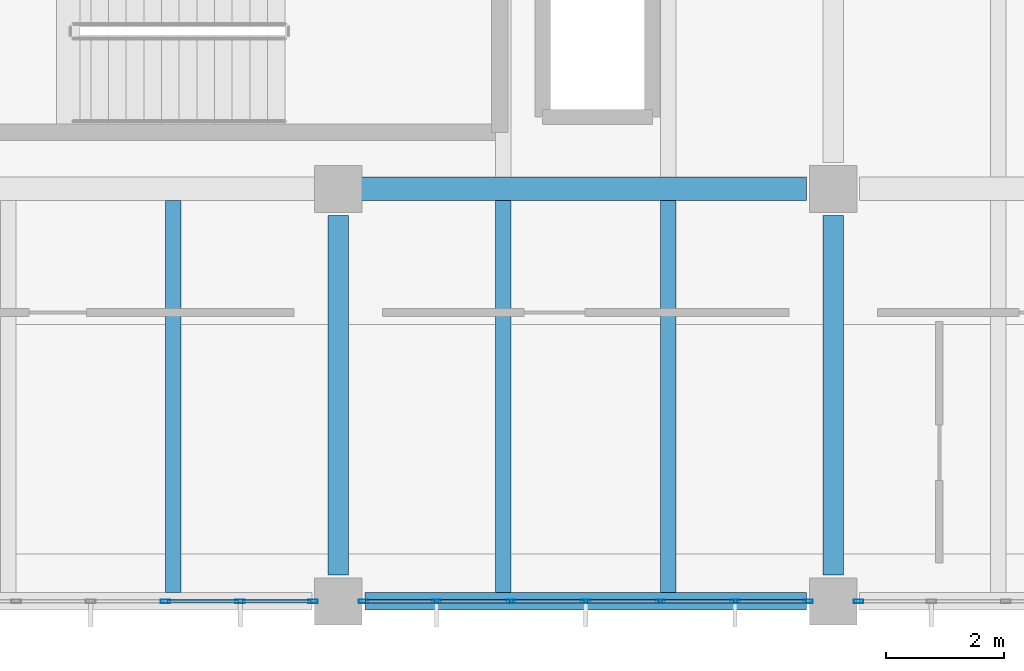
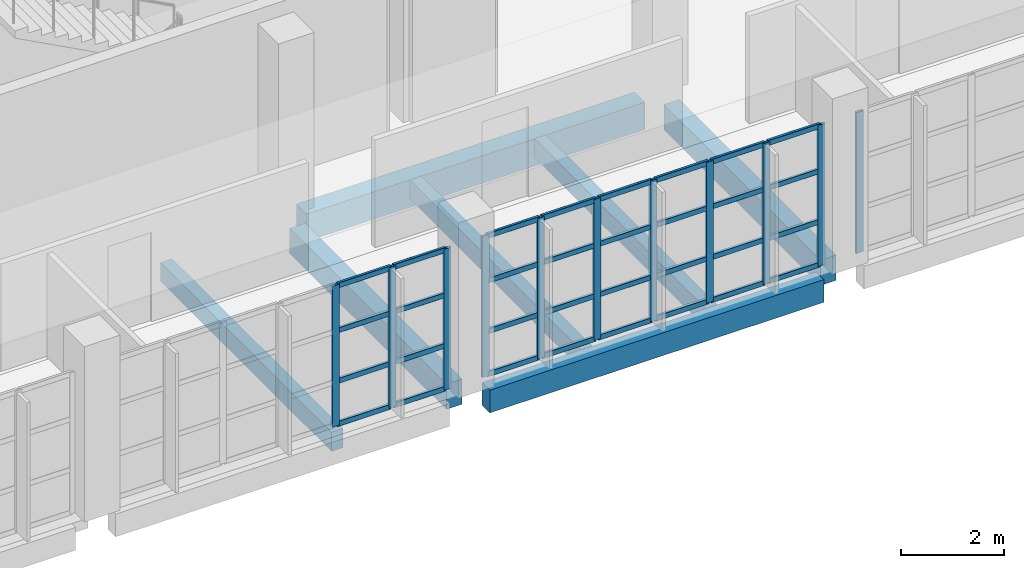
# One storey, part 39 of 177: 43 members, 7 beams, 3 elements without a shape of their own.
"""IFC4 building model written with IfcOpenShell, lengths in metres."""

from ifc_helpers import new_model, si_unit, direction, frame, origin, origin_2d, place, context, subcontext, project, spatial, rectangle, hollow_rectangle, extrude, material, layer, layer_set, material_profile, profile_set, type_object, element, aggregate, save


model = new_model("IFC4")

# Units and contexts
model_context = context("Model", 3, precision=1e-05, world=origin(), true_north=direction((0.0, 1.0)))
body_context = subcontext(model_context, "Body", "Model", "MODEL_VIEW")
ifc_project = project(units=[si_unit("LENGTHUNIT", "METRE"), si_unit("AREAUNIT", "SQUARE_METRE"), si_unit("VOLUMEUNIT", "CUBIC_METRE"), si_unit("PLANEANGLEUNIT", "RADIAN"), si_unit("MASSUNIT", "GRAM", prefix="KILO"), si_unit("THERMODYNAMICTEMPERATUREUNIT", "KELVIN"), si_unit("POWERUNIT", "WATT")], contexts=[model_context])

# Site, building, storey
site_placement = place(None, origin())
site = spatial("IfcSite", under=ifc_project, at=site_placement, CompositionType="ELEMENT")
building_placement = place(site_placement, origin())
building = spatial("IfcBuilding", under=site, at=building_placement, Name="Mavoryth Pier Ferry Terminal", CompositionType="ELEMENT")
storey_placement = place(building_placement, frame((0.0, 0.0, 5.43994140625)))
storey = spatial("IfcBuildingStorey", under=building, at=storey_placement, Name="L01", CompositionType="ELEMENT", Elevation=5.43994140625)

# Beams
ifc_material_1 = material(Name="Concrete C35/45", Category="concrete")
ifc_material_profile_1 = material_profile(ifc_material_1, rectangle(XDim=0.35009765625, YDim=0.60009765625, at=origin_2d()), Name="RC 350x600", Category="concrete")
ifc_profile_set_1 = profile_set([ifc_material_profile_1], Name="Concrete C35/45 - RC 350x600")
beam_type_1 = type_object("IfcBeamType", Name="Girder-RC-350x600", PredefinedType="BEAM", material=ifc_profile_set_1)
for number, where, z_axis, x_axis, name in (
    (1, (67.199951171875, 0.449951171875, -0.56005859375), (0.0, 1.0, 0.0), (-1.0, 0.0, 0.0), "Beam B01-BG08-0543"),
    (2, (75.60009765625, 0.449951171875, -0.56005859375), (0.0, 1.0, 0.0), (-1.0, 0.0, 0.0), "Beam B01-BG08-0546"),
):
    element("IfcBeam", number, at=place(storey_placement, frame(where, z_axis=z_axis, x_axis=x_axis)), inside=storey, type_object=beam_type_1, Name=name, PredefinedType="BEAM", context=body_context, shape_type="SweptSolid", body=[
        extrude(rectangle(XDim=0.35009765625, YDim=0.60009765625, at=origin_2d()), origin(), (0.0, 0.0, 1.0), 6.10009765625),
    ])
ifc_material_profile_2 = material_profile(ifc_material_1, rectangle(XDim=0.39990234375, YDim=0.64990234375, at=origin_2d()), Name="RC 400x650", Category="concrete")
ifc_profile_set_2 = profile_set([ifc_material_profile_2], Name="Concrete C35/45 - RC 400x650")
beam_type_2 = type_object("IfcBeamType", Name="Girder-RC-400x650", PredefinedType="BEAM", material=ifc_profile_set_2)
beam_1_placement = place(storey_placement, frame((67.550048828125, 7.0, -0.5849609375), z_axis=(1.0, 0.0, 0.0), x_axis=(0.0, 1.0, 0.0)))
element("IfcBeam", 3, at=beam_1_placement, inside=storey, type_object=beam_type_2, Name="Beam B01-BG05-0519", PredefinedType="BEAM", context=body_context, shape_type="SweptSolid", body=[
    extrude(rectangle(XDim=0.39990234375, YDim=0.64990234375, at=origin_2d()), origin(), (0.0, 0.0, 1.0), 7.599853515625),
])
ifc_material_profile_3 = material_profile(ifc_material_1, rectangle(XDim=0.260009765625, YDim=0.449951171875, at=origin_2d()), Name="RC 260x450", Category="concrete")
ifc_profile_set_3 = profile_set([ifc_material_profile_3], Name="Concrete C35/45 - RC 260x450")
beam_type_3 = type_object("IfcBeamType", Name="Joist-RC-260x450", PredefinedType="JOIST", material=ifc_profile_set_3)
for number, where, z_axis, x_axis, name in (
    (4, (64.39990234375, 0.14990234375, -0.48486328125), (0.0, 1.0, 0.0), (-1.0, 0.0, 0.0), "Beam B01-BJ03-0566"),
    (5, (70.0, 0.14990234375, -0.48486328125), (0.0, 1.0, 0.0), (-1.0, 0.0, 0.0), "Beam B01-BJ03-0569"),
    (6, (72.800048828125, 0.14990234375, -0.48486328125), (0.0, 1.0, 0.0), (-1.0, 0.0, 0.0), "Beam B01-BJ03-0570"),
):
    element("IfcBeam", number, at=place(storey_placement, frame(where, z_axis=z_axis, x_axis=x_axis)), inside=storey, type_object=beam_type_3, Name=name, PredefinedType="JOIST", context=body_context, shape_type="SweptSolid", body=[
        extrude(rectangle(XDim=0.260009765625, YDim=0.449951171875, at=origin_2d()), origin(), (0.0, 0.0, 1.0), 6.650146484375),
    ])

# Curtain wall, members
ifc_material_2 = material(Name="Anodised Aluminium and Solar-Control Low-E Glass", Category="aluminium")
ifc_layer = layer(ifc_material_2, 0.239990234375, Name="Anodised Aluminium and Solar-Control Low-E Glass", Category="aluminium")
ifc_layer_set = layer_set([ifc_layer], Name="Anodised Aluminium and Solar-Control Low-E Glass - CW-Operations-Mod1200")
curtain_wall_type = type_object("IfcCurtainWallType", Name="CW-Operations-Mod1200", PredefinedType="USERDEFINED", material=ifc_layer_set)
curtain_wall_1_placement = place(storey_placement, origin())
curtain_wall_1 = element("IfcCurtainWall", 7, at=curtain_wall_1_placement, inside=storey, type_object=curtain_wall_type, Name="Curtain Wall CW-0122-112", ObjectType="UNITISED CURTAIN WALL", PredefinedType="USERDEFINED")
ifc_material_3 = material(Name="Anodised Aluminium EN AW-6063", Category="aluminium")
ifc_material_profile_4 = material_profile(ifc_material_3, hollow_rectangle(XDim=0.06005859375, YDim=0.1650390625, WallThickness=0.00390625, InnerFilletRadius=0.00390625, OuterFilletRadius=0.008056640625, at=origin_2d()), Name="AL-MULL 165x60x4", Category="aluminium")
ifc_profile_set_4 = profile_set([ifc_material_profile_4], Name="Anodised Aluminium EN AW-6063 - AL-MULL 165x60x4")
member_type_1 = type_object("IfcMemberType", Name="Mullion-Alum-165x60", PredefinedType="MULLION", material=ifc_profile_set_4)
member_1_placement = place(storey_placement, frame((64.2666015625, 0.0, 0.0), z_axis=(0.0, 0.0, 1.0), x_axis=(0.0, 1.0, 0.0)))
member_1 = element("IfcMember", 8, at=member_1_placement, type_object=member_type_1, Name="CW06 mullion 5", PredefinedType="MULLION", context=body_context, shape_type="SweptSolid", body=[
    extrude(hollow_rectangle(XDim=0.06005859375, YDim=0.1650390625, WallThickness=0.00390625, InnerFilletRadius=0.00390625, OuterFilletRadius=0.008056640625, at=origin_2d()), origin(), (0.0, 0.0, 1.0), 3.344970703125),
])
member_2_placement = place(storey_placement, frame((65.533447265625, 0.0, 0.0), z_axis=(0.0, 0.0, 1.0), x_axis=(0.0, 1.0, 0.0)))
member_2 = element("IfcMember", 9, at=member_2_placement, type_object=member_type_1, Name="CW06 mullion 6", PredefinedType="MULLION", context=body_context, shape_type="SweptSolid", body=[
    extrude(hollow_rectangle(XDim=0.06005859375, YDim=0.1650390625, WallThickness=0.00390625, InnerFilletRadius=0.00390625, OuterFilletRadius=0.008056640625, at=origin_2d()), origin(), (0.0, 0.0, 1.0), 3.344970703125),
])
member_3_placement = place(storey_placement, frame((66.77001953125, 0.0, 0.0), z_axis=(0.0, 0.0, 1.0), x_axis=(0.0, 1.0, 0.0)))
member_3 = element("IfcMember", 10, at=member_3_placement, type_object=member_type_1, Name="CW06 mullion 7", PredefinedType="MULLION", context=body_context, shape_type="SweptSolid", body=[
    extrude(hollow_rectangle(XDim=0.06005859375, YDim=0.1650390625, WallThickness=0.00390625, InnerFilletRadius=0.00390625, OuterFilletRadius=0.008056640625, at=origin_2d()), origin(), (0.0, 0.0, 1.0), 3.344970703125),
])

curtain_wall_2_placement = place(storey_placement, origin())
curtain_wall_2 = element("IfcCurtainWall", 11, at=curtain_wall_2_placement, inside=storey, type_object=curtain_wall_type, Name="Curtain Wall CW-0122-114", ObjectType="UNITISED CURTAIN WALL", PredefinedType="USERDEFINED")
member_4_placement = place(storey_placement, frame((67.6298828125, 0.0, 0.0), z_axis=(0.0, 0.0, 1.0), x_axis=(0.0, 1.0, 0.0)))
member_4 = element("IfcMember", 12, at=member_4_placement, type_object=member_type_1, Name="CW06 mullion 1", PredefinedType="MULLION", context=body_context, shape_type="SweptSolid", body=[
    extrude(hollow_rectangle(XDim=0.06005859375, YDim=0.1650390625, WallThickness=0.00390625, InnerFilletRadius=0.00390625, OuterFilletRadius=0.008056640625, at=origin_2d()), origin(), (0.0, 0.0, 1.0), 3.344970703125),
])
member_5_placement = place(storey_placement, frame((68.86669921875, 0.0, 0.0), z_axis=(0.0, 0.0, 1.0), x_axis=(0.0, 1.0, 0.0)))
member_5 = element("IfcMember", 13, at=member_5_placement, type_object=member_type_1, Name="CW06 mullion 2", PredefinedType="MULLION", context=body_context, shape_type="SweptSolid", body=[
    extrude(hollow_rectangle(XDim=0.06005859375, YDim=0.1650390625, WallThickness=0.00390625, InnerFilletRadius=0.00390625, OuterFilletRadius=0.008056640625, at=origin_2d()), origin(), (0.0, 0.0, 1.0), 3.344970703125),
])
member_6_placement = place(storey_placement, frame((70.13330078125, 0.0, 0.0), z_axis=(0.0, 0.0, 1.0), x_axis=(0.0, 1.0, 0.0)))
member_6 = element("IfcMember", 14, at=member_6_placement, type_object=member_type_1, Name="CW06 mullion 3", PredefinedType="MULLION", context=body_context, shape_type="SweptSolid", body=[
    extrude(hollow_rectangle(XDim=0.06005859375, YDim=0.1650390625, WallThickness=0.00390625, InnerFilletRadius=0.00390625, OuterFilletRadius=0.008056640625, at=origin_2d()), origin(), (0.0, 0.0, 1.0), 3.344970703125),
])
member_7_placement = place(storey_placement, frame((71.39990234375, 0.0, 0.0), z_axis=(0.0, 0.0, 1.0), x_axis=(0.0, 1.0, 0.0)))
member_7 = element("IfcMember", 15, at=member_7_placement, type_object=member_type_1, Name="CW06 mullion 4", PredefinedType="MULLION", context=body_context, shape_type="SweptSolid", body=[
    extrude(hollow_rectangle(XDim=0.06005859375, YDim=0.1650390625, WallThickness=0.00390625, InnerFilletRadius=0.00390625, OuterFilletRadius=0.008056640625, at=origin_2d()), origin(), (0.0, 0.0, 1.0), 3.344970703125),
])
member_8_placement = place(storey_placement, frame((72.666748046875, 0.0, 0.0), z_axis=(0.0, 0.0, 1.0), x_axis=(0.0, 1.0, 0.0)))
member_8 = element("IfcMember", 16, at=member_8_placement, type_object=member_type_1, Name="CW06 mullion 5", PredefinedType="MULLION", context=body_context, shape_type="SweptSolid", body=[
    extrude(hollow_rectangle(XDim=0.06005859375, YDim=0.1650390625, WallThickness=0.00390625, InnerFilletRadius=0.00390625, OuterFilletRadius=0.008056640625, at=origin_2d()), origin(), (0.0, 0.0, 1.0), 3.344970703125),
])
member_9_placement = place(storey_placement, frame((73.933349609375, 0.0, 0.0), z_axis=(0.0, 0.0, 1.0), x_axis=(0.0, 1.0, 0.0)))
member_9 = element("IfcMember", 17, at=member_9_placement, type_object=member_type_1, Name="CW06 mullion 6", PredefinedType="MULLION", context=body_context, shape_type="SweptSolid", body=[
    extrude(hollow_rectangle(XDim=0.06005859375, YDim=0.1650390625, WallThickness=0.00390625, InnerFilletRadius=0.00390625, OuterFilletRadius=0.008056640625, at=origin_2d()), origin(), (0.0, 0.0, 1.0), 3.344970703125),
])
member_10_placement = place(storey_placement, frame((75.169921875, 0.0, 0.0), z_axis=(0.0, 0.0, 1.0), x_axis=(0.0, 1.0, 0.0)))
member_10 = element("IfcMember", 18, at=member_10_placement, type_object=member_type_1, Name="CW06 mullion 7", PredefinedType="MULLION", context=body_context, shape_type="SweptSolid", body=[
    extrude(hollow_rectangle(XDim=0.06005859375, YDim=0.1650390625, WallThickness=0.00390625, InnerFilletRadius=0.00390625, OuterFilletRadius=0.008056640625, at=origin_2d()), origin(), (0.0, 0.0, 1.0), 3.344970703125),
])

# Curtain wall, member
curtain_wall_3_placement = place(storey_placement, origin())
curtain_wall_3 = element("IfcCurtainWall", 19, at=curtain_wall_3_placement, inside=storey, type_object=curtain_wall_type, Name="Curtain Wall CW-0122-116", ObjectType="UNITISED CURTAIN WALL", PredefinedType="USERDEFINED")
member_11_placement = place(storey_placement, frame((76.030029296875, 0.0, 0.0), z_axis=(0.0, 0.0, 1.0), x_axis=(0.0, 1.0, 0.0)))
member_11 = element("IfcMember", 20, at=member_11_placement, type_object=member_type_1, Name="CW06 mullion 1", PredefinedType="MULLION", context=body_context, shape_type="SweptSolid", body=[
    extrude(hollow_rectangle(XDim=0.06005859375, YDim=0.1650390625, WallThickness=0.00390625, InnerFilletRadius=0.00390625, OuterFilletRadius=0.008056640625, at=origin_2d()), origin(), (0.0, 0.0, 1.0), 3.344970703125),
])
aggregate(curtain_wall_3, [member_11])

# Beam
ifc_material_profile_5 = material_profile(ifc_material_1, rectangle(XDim=0.300048828125, YDim=0.5400390625, at=origin_2d()), Name="RC 300x540", Category="concrete")
ifc_profile_set_5 = profile_set([ifc_material_profile_5], Name="Concrete C35/45 - RC 300x540")
beam_type_4 = type_object("IfcBeamType", Name="Spandrel-RC-300x540", PredefinedType="SPANDREL", material=ifc_profile_set_5)
beam_2_placement = place(storey_placement, frame((67.64990234375, 0.0, -0.530029296875), z_axis=(1.0, 0.0, 0.0), x_axis=(0.0, 1.0, 0.0)))
element("IfcBeam", 21, at=beam_2_placement, inside=storey, type_object=beam_type_4, Name="Beam B01-SP02-0513", PredefinedType="SPANDREL", context=body_context, shape_type="SweptSolid", body=[
    extrude(rectangle(XDim=0.300048828125, YDim=0.5400390625, at=origin_2d()), origin(), (0.0, 0.0, 1.0), 7.5),
])

# Member
ifc_material_profile_6 = material_profile(ifc_material_3, hollow_rectangle(XDim=0.06005859375, YDim=0.125, WallThickness=0.00390625, InnerFilletRadius=0.00390625, OuterFilletRadius=0.008056640625, at=origin_2d()), Name="AL-TRAN 125x60x4", Category="aluminium")
ifc_profile_set_6 = profile_set([ifc_material_profile_6], Name="Anodised Aluminium EN AW-6063 - AL-TRAN 125x60x4")
member_type_2 = type_object("IfcMemberType", Name="Transom-Alum-125x60", PredefinedType="USERDEFINED", material=ifc_profile_set_6)
member_12_placement = place(storey_placement, frame((64.296630859375, 0.0, 0.030029296875), z_axis=(1.0, 0.0, 0.0), x_axis=(0.0, 1.0, 0.0)))
member_12 = element("IfcMember", 22, at=member_12_placement, type_object=member_type_2, Name="CW06 transom 5.1", ObjectType="TRANSOM", PredefinedType="USERDEFINED", context=body_context, shape_type="SweptSolid", body=[
    extrude(hollow_rectangle(XDim=0.06005859375, YDim=0.125, WallThickness=0.00390625, InnerFilletRadius=0.00390625, OuterFilletRadius=0.008056640625, at=origin_2d()), origin(), (0.0, 0.0, 1.0), 1.206787109375),
])

member_13_placement = place(storey_placement, frame((64.296630859375, 0.0, 1.050048828125), z_axis=(1.0, 0.0, 0.0), x_axis=(0.0, 1.0, 0.0)))
member_13 = element("IfcMember", 23, at=member_13_placement, type_object=member_type_2, Name="CW06 transom 5.2", ObjectType="TRANSOM", PredefinedType="USERDEFINED", context=body_context, shape_type="SweptSolid", body=[
    extrude(hollow_rectangle(XDim=0.06005859375, YDim=0.125, WallThickness=0.00390625, InnerFilletRadius=0.00390625, OuterFilletRadius=0.008056640625, at=origin_2d()), origin(), (0.0, 0.0, 1.0), 1.206787109375),
])

member_14_placement = place(storey_placement, frame((64.296630859375, 0.0, 2.25), z_axis=(1.0, 0.0, 0.0), x_axis=(0.0, 1.0, 0.0)))
member_14 = element("IfcMember", 24, at=member_14_placement, type_object=member_type_2, Name="CW06 transom 5.3", ObjectType="TRANSOM", PredefinedType="USERDEFINED", context=body_context, shape_type="SweptSolid", body=[
    extrude(hollow_rectangle(XDim=0.06005859375, YDim=0.125, WallThickness=0.00390625, InnerFilletRadius=0.00390625, OuterFilletRadius=0.008056640625, at=origin_2d()), origin(), (0.0, 0.0, 1.0), 1.206787109375),
])

member_15_placement = place(storey_placement, frame((64.296630859375, 0.0, 3.31494140625), z_axis=(1.0, 0.0, 0.0), x_axis=(0.0, 1.0, 0.0)))
member_15 = element("IfcMember", 25, at=member_15_placement, type_object=member_type_2, Name="CW06 transom 5.4", ObjectType="TRANSOM", PredefinedType="USERDEFINED", context=body_context, shape_type="SweptSolid", body=[
    extrude(hollow_rectangle(XDim=0.06005859375, YDim=0.125, WallThickness=0.00390625, InnerFilletRadius=0.00390625, OuterFilletRadius=0.008056640625, at=origin_2d()), origin(), (0.0, 0.0, 1.0), 1.206787109375),
])

member_16_placement = place(storey_placement, frame((65.563232421875, 0.0, 0.030029296875), z_axis=(1.0, 0.0, 0.0), x_axis=(0.0, 1.0, 0.0)))
member_16 = element("IfcMember", 26, at=member_16_placement, type_object=member_type_2, Name="CW06 transom 6.1", ObjectType="TRANSOM", PredefinedType="USERDEFINED", context=body_context, shape_type="SweptSolid", body=[
    extrude(hollow_rectangle(XDim=0.06005859375, YDim=0.125, WallThickness=0.00390625, InnerFilletRadius=0.00390625, OuterFilletRadius=0.008056640625, at=origin_2d()), origin(), (0.0, 0.0, 1.0), 1.1767578125),
])

member_17_placement = place(storey_placement, frame((65.563232421875, 0.0, 1.050048828125), z_axis=(1.0, 0.0, 0.0), x_axis=(0.0, 1.0, 0.0)))
member_17 = element("IfcMember", 27, at=member_17_placement, type_object=member_type_2, Name="CW06 transom 6.2", ObjectType="TRANSOM", PredefinedType="USERDEFINED", context=body_context, shape_type="SweptSolid", body=[
    extrude(hollow_rectangle(XDim=0.06005859375, YDim=0.125, WallThickness=0.00390625, InnerFilletRadius=0.00390625, OuterFilletRadius=0.008056640625, at=origin_2d()), origin(), (0.0, 0.0, 1.0), 1.1767578125),
])

member_18_placement = place(storey_placement, frame((65.563232421875, 0.0, 2.25), z_axis=(1.0, 0.0, 0.0), x_axis=(0.0, 1.0, 0.0)))
member_18 = element("IfcMember", 28, at=member_18_placement, type_object=member_type_2, Name="CW06 transom 6.3", ObjectType="TRANSOM", PredefinedType="USERDEFINED", context=body_context, shape_type="SweptSolid", body=[
    extrude(hollow_rectangle(XDim=0.06005859375, YDim=0.125, WallThickness=0.00390625, InnerFilletRadius=0.00390625, OuterFilletRadius=0.008056640625, at=origin_2d()), origin(), (0.0, 0.0, 1.0), 1.1767578125),
])

member_19_placement = place(storey_placement, frame((65.563232421875, 0.0, 3.31494140625), z_axis=(1.0, 0.0, 0.0), x_axis=(0.0, 1.0, 0.0)))
member_19 = element("IfcMember", 29, at=member_19_placement, type_object=member_type_2, Name="CW06 transom 6.4", ObjectType="TRANSOM", PredefinedType="USERDEFINED", context=body_context, shape_type="SweptSolid", body=[
    extrude(hollow_rectangle(XDim=0.06005859375, YDim=0.125, WallThickness=0.00390625, InnerFilletRadius=0.00390625, OuterFilletRadius=0.008056640625, at=origin_2d()), origin(), (0.0, 0.0, 1.0), 1.1767578125),
])

aggregate(curtain_wall_1, [member_1, member_2, member_3, member_12, member_13, member_14, member_15, member_16, member_17, member_18, member_19])

member_20_placement = place(storey_placement, frame((67.659912109375, 0.0, 0.030029296875), z_axis=(1.0, 0.0, 0.0), x_axis=(0.0, 1.0, 0.0)))
member_20 = element("IfcMember", 30, at=member_20_placement, type_object=member_type_2, Name="CW06 transom 1.1", ObjectType="TRANSOM", PredefinedType="USERDEFINED", context=body_context, shape_type="SweptSolid", body=[
    extrude(hollow_rectangle(XDim=0.06005859375, YDim=0.125, WallThickness=0.00390625, InnerFilletRadius=0.00390625, OuterFilletRadius=0.008056640625, at=origin_2d()), origin(), (0.0, 0.0, 1.0), 1.1767578125),
])

member_21_placement = place(storey_placement, frame((67.659912109375, 0.0, 1.050048828125), z_axis=(1.0, 0.0, 0.0), x_axis=(0.0, 1.0, 0.0)))
member_21 = element("IfcMember", 31, at=member_21_placement, type_object=member_type_2, Name="CW06 transom 1.2", ObjectType="TRANSOM", PredefinedType="USERDEFINED", context=body_context, shape_type="SweptSolid", body=[
    extrude(hollow_rectangle(XDim=0.06005859375, YDim=0.125, WallThickness=0.00390625, InnerFilletRadius=0.00390625, OuterFilletRadius=0.008056640625, at=origin_2d()), origin(), (0.0, 0.0, 1.0), 1.1767578125),
])

member_22_placement = place(storey_placement, frame((67.659912109375, 0.0, 2.25), z_axis=(1.0, 0.0, 0.0), x_axis=(0.0, 1.0, 0.0)))
member_22 = element("IfcMember", 32, at=member_22_placement, type_object=member_type_2, Name="CW06 transom 1.3", ObjectType="TRANSOM", PredefinedType="USERDEFINED", context=body_context, shape_type="SweptSolid", body=[
    extrude(hollow_rectangle(XDim=0.06005859375, YDim=0.125, WallThickness=0.00390625, InnerFilletRadius=0.00390625, OuterFilletRadius=0.008056640625, at=origin_2d()), origin(), (0.0, 0.0, 1.0), 1.1767578125),
])

member_23_placement = place(storey_placement, frame((67.659912109375, 0.0, 3.31494140625), z_axis=(1.0, 0.0, 0.0), x_axis=(0.0, 1.0, 0.0)))
member_23 = element("IfcMember", 33, at=member_23_placement, type_object=member_type_2, Name="CW06 transom 1.4", ObjectType="TRANSOM", PredefinedType="USERDEFINED", context=body_context, shape_type="SweptSolid", body=[
    extrude(hollow_rectangle(XDim=0.06005859375, YDim=0.125, WallThickness=0.00390625, InnerFilletRadius=0.00390625, OuterFilletRadius=0.008056640625, at=origin_2d()), origin(), (0.0, 0.0, 1.0), 1.1767578125),
])

member_24_placement = place(storey_placement, frame((68.896728515625, 0.0, 0.030029296875), z_axis=(1.0, 0.0, 0.0), x_axis=(0.0, 1.0, 0.0)))
member_24 = element("IfcMember", 34, at=member_24_placement, type_object=member_type_2, Name="CW06 transom 2.1", ObjectType="TRANSOM", PredefinedType="USERDEFINED", context=body_context, shape_type="SweptSolid", body=[
    extrude(hollow_rectangle(XDim=0.06005859375, YDim=0.125, WallThickness=0.00390625, InnerFilletRadius=0.00390625, OuterFilletRadius=0.008056640625, at=origin_2d()), origin(), (0.0, 0.0, 1.0), 1.20654296875),
])

member_25_placement = place(storey_placement, frame((68.896728515625, 0.0, 1.050048828125), z_axis=(1.0, 0.0, 0.0), x_axis=(0.0, 1.0, 0.0)))
member_25 = element("IfcMember", 35, at=member_25_placement, type_object=member_type_2, Name="CW06 transom 2.2", ObjectType="TRANSOM", PredefinedType="USERDEFINED", context=body_context, shape_type="SweptSolid", body=[
    extrude(hollow_rectangle(XDim=0.06005859375, YDim=0.125, WallThickness=0.00390625, InnerFilletRadius=0.00390625, OuterFilletRadius=0.008056640625, at=origin_2d()), origin(), (0.0, 0.0, 1.0), 1.20654296875),
])

member_26_placement = place(storey_placement, frame((68.896728515625, 0.0, 2.25), z_axis=(1.0, 0.0, 0.0), x_axis=(0.0, 1.0, 0.0)))
member_26 = element("IfcMember", 36, at=member_26_placement, type_object=member_type_2, Name="CW06 transom 2.3", ObjectType="TRANSOM", PredefinedType="USERDEFINED", context=body_context, shape_type="SweptSolid", body=[
    extrude(hollow_rectangle(XDim=0.06005859375, YDim=0.125, WallThickness=0.00390625, InnerFilletRadius=0.00390625, OuterFilletRadius=0.008056640625, at=origin_2d()), origin(), (0.0, 0.0, 1.0), 1.20654296875),
])

member_27_placement = place(storey_placement, frame((68.896728515625, 0.0, 3.31494140625), z_axis=(1.0, 0.0, 0.0), x_axis=(0.0, 1.0, 0.0)))
member_27 = element("IfcMember", 37, at=member_27_placement, type_object=member_type_2, Name="CW06 transom 2.4", ObjectType="TRANSOM", PredefinedType="USERDEFINED", context=body_context, shape_type="SweptSolid", body=[
    extrude(hollow_rectangle(XDim=0.06005859375, YDim=0.125, WallThickness=0.00390625, InnerFilletRadius=0.00390625, OuterFilletRadius=0.008056640625, at=origin_2d()), origin(), (0.0, 0.0, 1.0), 1.20654296875),
])

member_28_placement = place(storey_placement, frame((70.163330078125, 0.0, 0.030029296875), z_axis=(1.0, 0.0, 0.0), x_axis=(0.0, 1.0, 0.0)))
member_28 = element("IfcMember", 38, at=member_28_placement, type_object=member_type_2, Name="CW06 transom 3.1", ObjectType="TRANSOM", PredefinedType="USERDEFINED", context=body_context, shape_type="SweptSolid", body=[
    extrude(hollow_rectangle(XDim=0.06005859375, YDim=0.125, WallThickness=0.00390625, InnerFilletRadius=0.00390625, OuterFilletRadius=0.008056640625, at=origin_2d()), origin(), (0.0, 0.0, 1.0), 1.206787109375),
])

member_29_placement = place(storey_placement, frame((70.163330078125, 0.0, 1.050048828125), z_axis=(1.0, 0.0, 0.0), x_axis=(0.0, 1.0, 0.0)))
member_29 = element("IfcMember", 39, at=member_29_placement, type_object=member_type_2, Name="CW06 transom 3.2", ObjectType="TRANSOM", PredefinedType="USERDEFINED", context=body_context, shape_type="SweptSolid", body=[
    extrude(hollow_rectangle(XDim=0.06005859375, YDim=0.125, WallThickness=0.00390625, InnerFilletRadius=0.00390625, OuterFilletRadius=0.008056640625, at=origin_2d()), origin(), (0.0, 0.0, 1.0), 1.206787109375),
])

member_30_placement = place(storey_placement, frame((70.163330078125, 0.0, 2.25), z_axis=(1.0, 0.0, 0.0), x_axis=(0.0, 1.0, 0.0)))
member_30 = element("IfcMember", 40, at=member_30_placement, type_object=member_type_2, Name="CW06 transom 3.3", ObjectType="TRANSOM", PredefinedType="USERDEFINED", context=body_context, shape_type="SweptSolid", body=[
    extrude(hollow_rectangle(XDim=0.06005859375, YDim=0.125, WallThickness=0.00390625, InnerFilletRadius=0.00390625, OuterFilletRadius=0.008056640625, at=origin_2d()), origin(), (0.0, 0.0, 1.0), 1.206787109375),
])

member_31_placement = place(storey_placement, frame((70.163330078125, 0.0, 3.31494140625), z_axis=(1.0, 0.0, 0.0), x_axis=(0.0, 1.0, 0.0)))
member_31 = element("IfcMember", 41, at=member_31_placement, type_object=member_type_2, Name="CW06 transom 3.4", ObjectType="TRANSOM", PredefinedType="USERDEFINED", context=body_context, shape_type="SweptSolid", body=[
    extrude(hollow_rectangle(XDim=0.06005859375, YDim=0.125, WallThickness=0.00390625, InnerFilletRadius=0.00390625, OuterFilletRadius=0.008056640625, at=origin_2d()), origin(), (0.0, 0.0, 1.0), 1.206787109375),
])

member_32_placement = place(storey_placement, frame((71.429931640625, 0.0, 0.030029296875), z_axis=(1.0, 0.0, 0.0), x_axis=(0.0, 1.0, 0.0)))
member_32 = element("IfcMember", 42, at=member_32_placement, type_object=member_type_2, Name="CW06 transom 4.1", ObjectType="TRANSOM", PredefinedType="USERDEFINED", context=body_context, shape_type="SweptSolid", body=[
    extrude(hollow_rectangle(XDim=0.06005859375, YDim=0.125, WallThickness=0.00390625, InnerFilletRadius=0.00390625, OuterFilletRadius=0.008056640625, at=origin_2d()), origin(), (0.0, 0.0, 1.0), 1.206787109375),
])

member_33_placement = place(storey_placement, frame((71.429931640625, 0.0, 1.050048828125), z_axis=(1.0, 0.0, 0.0), x_axis=(0.0, 1.0, 0.0)))
member_33 = element("IfcMember", 43, at=member_33_placement, type_object=member_type_2, Name="CW06 transom 4.2", ObjectType="TRANSOM", PredefinedType="USERDEFINED", context=body_context, shape_type="SweptSolid", body=[
    extrude(hollow_rectangle(XDim=0.06005859375, YDim=0.125, WallThickness=0.00390625, InnerFilletRadius=0.00390625, OuterFilletRadius=0.008056640625, at=origin_2d()), origin(), (0.0, 0.0, 1.0), 1.206787109375),
])

member_34_placement = place(storey_placement, frame((71.429931640625, 0.0, 2.25), z_axis=(1.0, 0.0, 0.0), x_axis=(0.0, 1.0, 0.0)))
member_34 = element("IfcMember", 44, at=member_34_placement, type_object=member_type_2, Name="CW06 transom 4.3", ObjectType="TRANSOM", PredefinedType="USERDEFINED", context=body_context, shape_type="SweptSolid", body=[
    extrude(hollow_rectangle(XDim=0.06005859375, YDim=0.125, WallThickness=0.00390625, InnerFilletRadius=0.00390625, OuterFilletRadius=0.008056640625, at=origin_2d()), origin(), (0.0, 0.0, 1.0), 1.206787109375),
])

member_35_placement = place(storey_placement, frame((71.429931640625, 0.0, 3.31494140625), z_axis=(1.0, 0.0, 0.0), x_axis=(0.0, 1.0, 0.0)))
member_35 = element("IfcMember", 45, at=member_35_placement, type_object=member_type_2, Name="CW06 transom 4.4", ObjectType="TRANSOM", PredefinedType="USERDEFINED", context=body_context, shape_type="SweptSolid", body=[
    extrude(hollow_rectangle(XDim=0.06005859375, YDim=0.125, WallThickness=0.00390625, InnerFilletRadius=0.00390625, OuterFilletRadius=0.008056640625, at=origin_2d()), origin(), (0.0, 0.0, 1.0), 1.206787109375),
])

member_36_placement = place(storey_placement, frame((72.69677734375, 0.0, 0.030029296875), z_axis=(1.0, 0.0, 0.0), x_axis=(0.0, 1.0, 0.0)))
member_36 = element("IfcMember", 46, at=member_36_placement, type_object=member_type_2, Name="CW06 transom 5.1", ObjectType="TRANSOM", PredefinedType="USERDEFINED", context=body_context, shape_type="SweptSolid", body=[
    extrude(hollow_rectangle(XDim=0.06005859375, YDim=0.125, WallThickness=0.00390625, InnerFilletRadius=0.00390625, OuterFilletRadius=0.008056640625, at=origin_2d()), origin(), (0.0, 0.0, 1.0), 1.20654296875),
])

member_37_placement = place(storey_placement, frame((72.69677734375, 0.0, 1.050048828125), z_axis=(1.0, 0.0, 0.0), x_axis=(0.0, 1.0, 0.0)))
member_37 = element("IfcMember", 47, at=member_37_placement, type_object=member_type_2, Name="CW06 transom 5.2", ObjectType="TRANSOM", PredefinedType="USERDEFINED", context=body_context, shape_type="SweptSolid", body=[
    extrude(hollow_rectangle(XDim=0.06005859375, YDim=0.125, WallThickness=0.00390625, InnerFilletRadius=0.00390625, OuterFilletRadius=0.008056640625, at=origin_2d()), origin(), (0.0, 0.0, 1.0), 1.20654296875),
])

member_38_placement = place(storey_placement, frame((72.69677734375, 0.0, 2.25), z_axis=(1.0, 0.0, 0.0), x_axis=(0.0, 1.0, 0.0)))
member_38 = element("IfcMember", 48, at=member_38_placement, type_object=member_type_2, Name="CW06 transom 5.3", ObjectType="TRANSOM", PredefinedType="USERDEFINED", context=body_context, shape_type="SweptSolid", body=[
    extrude(hollow_rectangle(XDim=0.06005859375, YDim=0.125, WallThickness=0.00390625, InnerFilletRadius=0.00390625, OuterFilletRadius=0.008056640625, at=origin_2d()), origin(), (0.0, 0.0, 1.0), 1.20654296875),
])

member_39_placement = place(storey_placement, frame((72.69677734375, 0.0, 3.31494140625), z_axis=(1.0, 0.0, 0.0), x_axis=(0.0, 1.0, 0.0)))
member_39 = element("IfcMember", 49, at=member_39_placement, type_object=member_type_2, Name="CW06 transom 5.4", ObjectType="TRANSOM", PredefinedType="USERDEFINED", context=body_context, shape_type="SweptSolid", body=[
    extrude(hollow_rectangle(XDim=0.06005859375, YDim=0.125, WallThickness=0.00390625, InnerFilletRadius=0.00390625, OuterFilletRadius=0.008056640625, at=origin_2d()), origin(), (0.0, 0.0, 1.0), 1.20654296875),
])

member_40_placement = place(storey_placement, frame((73.96337890625, 0.0, 0.030029296875), z_axis=(1.0, 0.0, 0.0), x_axis=(0.0, 1.0, 0.0)))
member_40 = element("IfcMember", 50, at=member_40_placement, type_object=member_type_2, Name="CW06 transom 6.1", ObjectType="TRANSOM", PredefinedType="USERDEFINED", context=body_context, shape_type="SweptSolid", body=[
    extrude(hollow_rectangle(XDim=0.06005859375, YDim=0.125, WallThickness=0.00390625, InnerFilletRadius=0.00390625, OuterFilletRadius=0.008056640625, at=origin_2d()), origin(), (0.0, 0.0, 1.0), 1.176513671875),
])

member_41_placement = place(storey_placement, frame((73.96337890625, 0.0, 1.050048828125), z_axis=(1.0, 0.0, 0.0), x_axis=(0.0, 1.0, 0.0)))
member_41 = element("IfcMember", 51, at=member_41_placement, type_object=member_type_2, Name="CW06 transom 6.2", ObjectType="TRANSOM", PredefinedType="USERDEFINED", context=body_context, shape_type="SweptSolid", body=[
    extrude(hollow_rectangle(XDim=0.06005859375, YDim=0.125, WallThickness=0.00390625, InnerFilletRadius=0.00390625, OuterFilletRadius=0.008056640625, at=origin_2d()), origin(), (0.0, 0.0, 1.0), 1.176513671875),
])

member_42_placement = place(storey_placement, frame((73.96337890625, 0.0, 2.25), z_axis=(1.0, 0.0, 0.0), x_axis=(0.0, 1.0, 0.0)))
member_42 = element("IfcMember", 52, at=member_42_placement, type_object=member_type_2, Name="CW06 transom 6.3", ObjectType="TRANSOM", PredefinedType="USERDEFINED", context=body_context, shape_type="SweptSolid", body=[
    extrude(hollow_rectangle(XDim=0.06005859375, YDim=0.125, WallThickness=0.00390625, InnerFilletRadius=0.00390625, OuterFilletRadius=0.008056640625, at=origin_2d()), origin(), (0.0, 0.0, 1.0), 1.176513671875),
])

member_43_placement = place(storey_placement, frame((73.96337890625, 0.0, 3.31494140625), z_axis=(1.0, 0.0, 0.0), x_axis=(0.0, 1.0, 0.0)))
member_43 = element("IfcMember", 53, at=member_43_placement, type_object=member_type_2, Name="CW06 transom 6.4", ObjectType="TRANSOM", PredefinedType="USERDEFINED", context=body_context, shape_type="SweptSolid", body=[
    extrude(hollow_rectangle(XDim=0.06005859375, YDim=0.125, WallThickness=0.00390625, InnerFilletRadius=0.00390625, OuterFilletRadius=0.008056640625, at=origin_2d()), origin(), (0.0, 0.0, 1.0), 1.176513671875),
])

aggregate(curtain_wall_2, [member_4, member_5, member_6, member_7, member_8, member_9, member_10, member_20, member_21, member_22, member_23, member_24, member_25, member_26, member_27, member_28, member_29, member_30, member_31, member_32, member_33, member_34, member_35, member_36, member_37, member_38, member_39, member_40, member_41, member_42, member_43])

save(model, "model.ifc")
